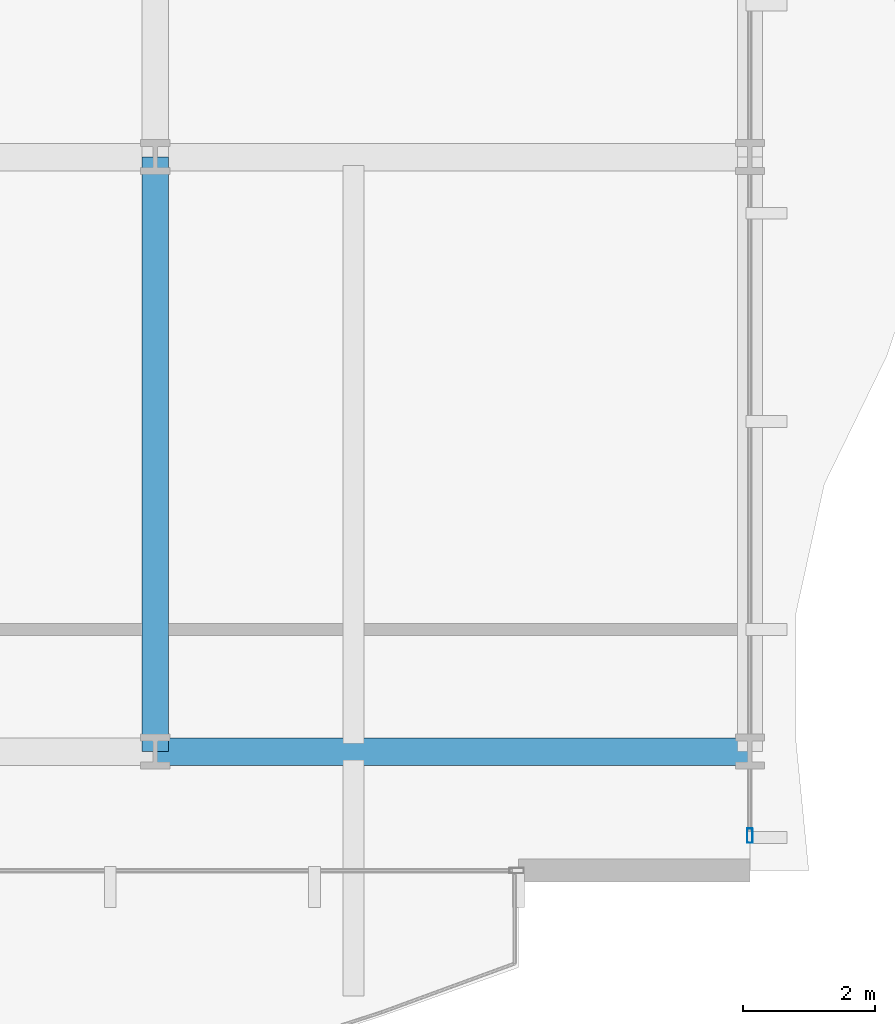
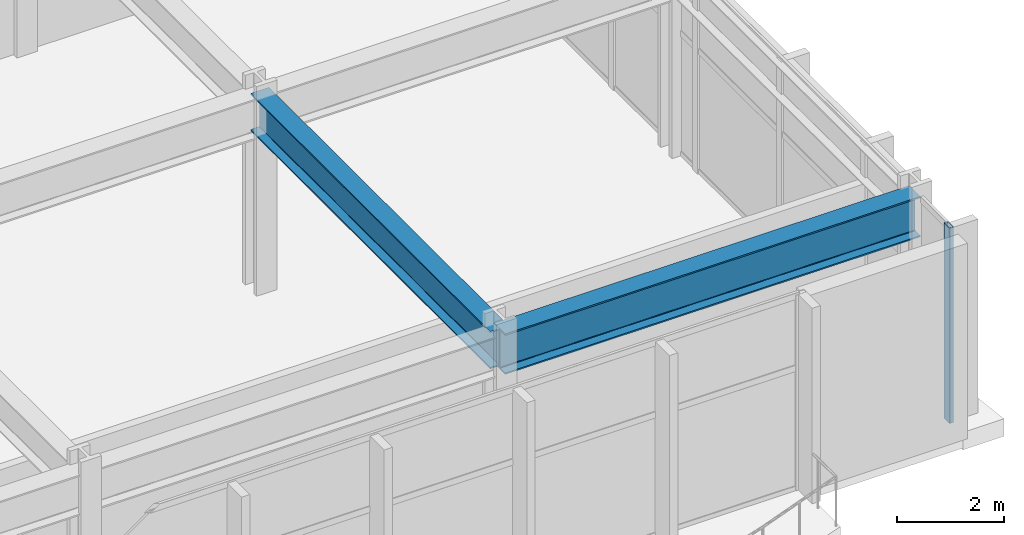
# One storey, part 9 of 29: 2 beams, 1 member, 1 element without a shape of its own.
"""IFC4 building model written with IfcOpenShell, lengths in metres."""

from ifc_helpers import new_model, si_unit, direction, frame, origin, origin_2d, place, context, subcontext, project, spatial, hollow_rectangle, i_section, extrude, material, layer, layer_set, material_profile, profile_set, type_object, element, aggregate, save


model = new_model("IFC4")

# Units and contexts
model_context = context("Model", 3, precision=1e-05, world=origin(), true_north=direction((0.0, 1.0)))
body_context = subcontext(model_context, "Body", "Model", "MODEL_VIEW")
ifc_project = project(units=[si_unit("LENGTHUNIT", "METRE"), si_unit("AREAUNIT", "SQUARE_METRE"), si_unit("VOLUMEUNIT", "CUBIC_METRE"), si_unit("PLANEANGLEUNIT", "RADIAN"), si_unit("MASSUNIT", "GRAM", prefix="KILO")], contexts=[model_context])

# Site, building, storey
site_placement = place(None, origin())
site = spatial("IfcSite", under=ifc_project, at=site_placement, CompositionType="ELEMENT")
building_placement = place(site_placement, origin())
building = spatial("IfcBuilding", under=site, at=building_placement, Name="Solvaryn Broadcast Tower", CompositionType="ELEMENT")
storey_placement = place(building_placement, frame((0.0, 0.0, 21.199951171875)))
storey = spatial("IfcBuildingStorey", under=building, at=storey_placement, Name="L04", CompositionType="ELEMENT", Elevation=21.199951171875)

# Beams
ifc_material_1 = material(Name="Steel ASTM A992 Grade 50", Category="steel")
ifc_material_profile_1 = material_profile(ifc_material_1, i_section(OverallWidth=0.41796875, OverallDepth=0.927001953125, WebThickness=0.019287109375, FlangeThickness=0.031982421875, FilletRadius=0.02392578125, at=origin_2d()))
ifc_profile_set_1 = profile_set([ifc_material_profile_1], Name="Steel ASTM A992 Grade 50")
beam_type_1 = type_object("IfcBeamType", Name="BM-G2-W36X231", PredefinedType="BEAM", material=ifc_profile_set_1)
beam_1_placement = place(storey_placement, frame((54.0, 9.0, 4.0166015625), z_axis=(1.0, 0.0, 0.0), x_axis=(0.0, 1.0, 0.0)))
element("IfcBeam", 1, at=beam_1_placement, inside=storey, type_object=beam_type_1, Name="L04 Primary Beam X (54-63 @ Y=9)", PredefinedType="BEAM", context=body_context, shape_type="SweptSolid", body=[
    extrude(i_section(OverallWidth=0.41796875, OverallDepth=0.927001953125, WebThickness=0.019287109375, FlangeThickness=0.031982421875, FilletRadius=0.02392578125, at=origin_2d()), origin(), (0.0, 0.0, 1.0), 9.0),
])
ifc_material_2 = material(Name="Steel ASTM A992 Grade 50", Category="steel")
ifc_material_profile_2 = material_profile(ifc_material_2, i_section(OverallWidth=0.39990234375, OverallDepth=0.85498046875, WebThickness=0.018310546875, FlangeThickness=0.029296875, FilletRadius=0.02001953125, at=origin_2d()))
ifc_profile_set_2 = profile_set([ifc_material_profile_2], Name="Steel ASTM A992 Grade 50")
beam_type_2 = type_object("IfcBeamType", Name="BM-G3-W33X201", PredefinedType="BEAM", material=ifc_profile_set_2)
beam_2_placement = place(storey_placement, frame((54.0, 9.0, 4.052490234375), z_axis=(0.0, 1.0, 0.0), x_axis=(-1.0, 0.0, 0.0)))
element("IfcBeam", 2, at=beam_2_placement, inside=storey, type_object=beam_type_2, Name="L04 Primary Beam Y (9-18 @ X=54)", PredefinedType="BEAM", context=body_context, shape_type="SweptSolid", body=[
    extrude(i_section(OverallWidth=0.39990234375, OverallDepth=0.85498046875, WebThickness=0.018310546875, FlangeThickness=0.029296875, FilletRadius=0.02001953125, at=origin_2d()), origin(), (0.0, 0.0, 1.0), 9.0),
])

# Curtain wall, member
ifc_material_3 = material(Name="Aluminium and Terracotta Unitised Curtain Wall", Category="masonry")
ifc_layer = layer(ifc_material_3, 0.219970703125)
ifc_layer_set = layer_set([ifc_layer], Name="CW-SYS1-PODIUM")
curtain_wall_type = type_object("IfcCurtainWallType", Name="CW-SYS1-PODIUM", PredefinedType="NOTDEFINED", material=ifc_layer_set)
curtain_wall_placement = place(storey_placement, origin())
curtain_wall = element("IfcCurtainWall", 3, at=curtain_wall_placement, inside=storey, type_object=curtain_wall_type, Name="L04 Podium Curtain Wall E2", PredefinedType="NOTDEFINED")
ifc_material_4 = material(Name="Anodised Aluminium 6063-T6", Category="aluminium")
ifc_material_profile_3 = material_profile(ifc_material_4, hollow_rectangle(XDim=0.0849609375, YDim=0.219970703125, WallThickness=0.0048828125, InnerFilletRadius=0.0048828125, OuterFilletRadius=0.010009765625, at=origin_2d()))
ifc_profile_set_3 = profile_set([ifc_material_profile_3], Name="Anodised Aluminium 6063-T6")
member_type = type_object("IfcMemberType", Name="CW-MUL-220", PredefinedType="MULLION", material=ifc_profile_set_3)
member_placement = place(storey_placement, frame((63.0, 7.72998046875, 0.0), z_axis=(0.0, 0.0, 1.0), x_axis=(1.0, 0.0, 0.0)))
member = element("IfcMember", 4, at=member_placement, type_object=member_type, Name="CWS1 mullion 2", PredefinedType="MULLION", context=body_context, shape_type="SweptSolid", body=[
    extrude(hollow_rectangle(XDim=0.0849609375, YDim=0.219970703125, WallThickness=0.0048828125, InnerFilletRadius=0.0048828125, OuterFilletRadius=0.010009765625, at=origin_2d()), origin(), (0.0, 0.0, 1.0), 4.47998046875),
])
aggregate(curtain_wall, [member])

save(model, "model.ifc")
